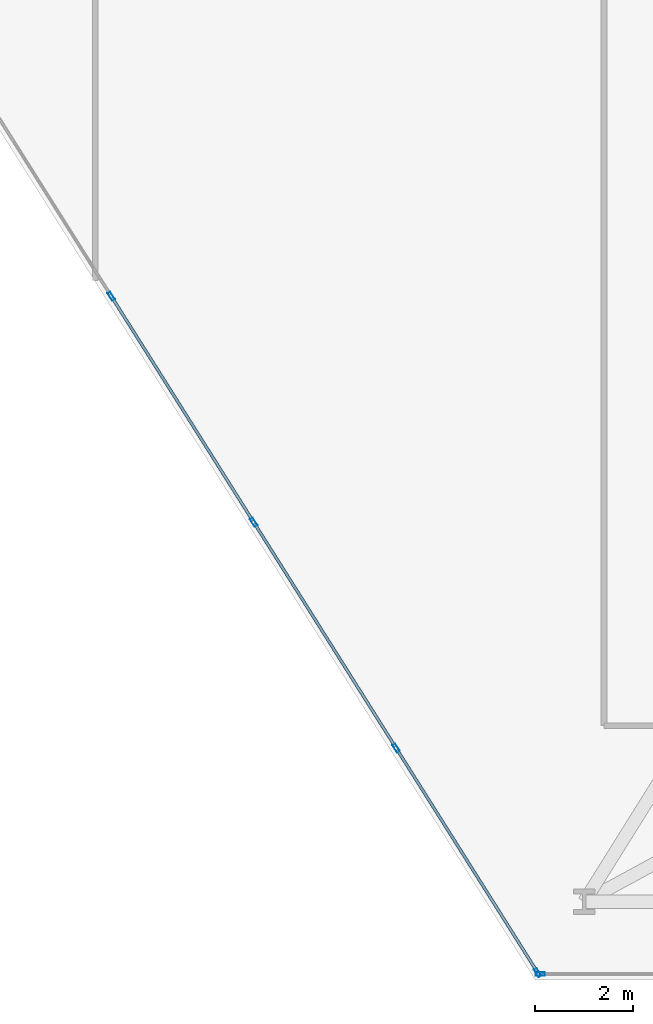
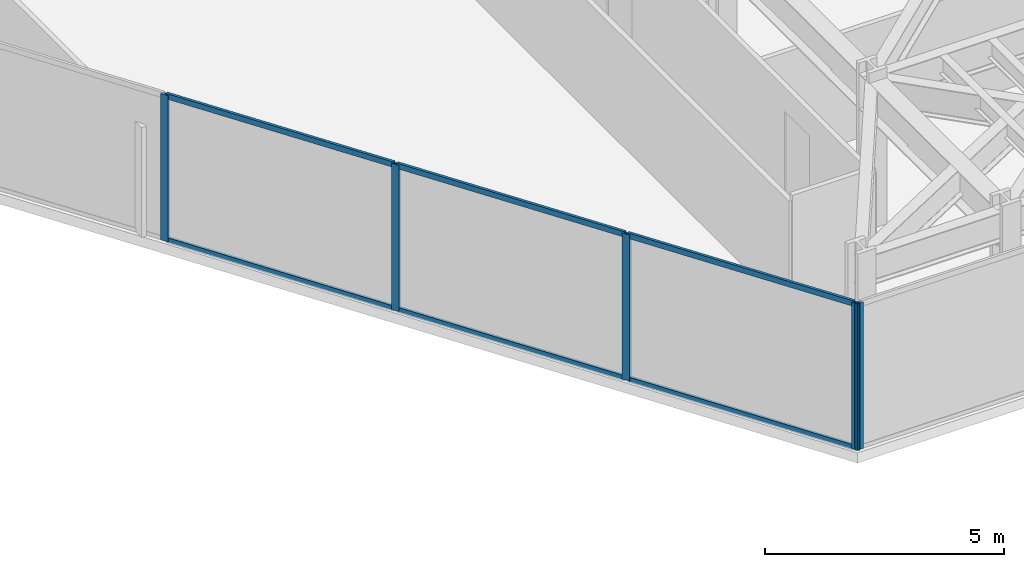
# One storey, part 12 of 25: 11 members, 2 elements without a shape of their own.
"""IFC4 building model written with IfcOpenShell, lengths in metres."""

from ifc_helpers import new_model, si_unit, direction, frame, origin, origin_2d, place, context, subcontext, project, spatial, hollow_rectangle, extrude, material, layer, layer_set, material_profile, profile_set, type_object, element, aggregate, save


model = new_model("IFC4")

# Units and contexts
model_context = context("Model", 3, precision=1e-05, world=origin(), true_north=direction((0.0, 1.0)))
body_context = subcontext(model_context, "Body", "Model", "MODEL_VIEW")
ifc_project = project(units=[si_unit("LENGTHUNIT", "METRE"), si_unit("AREAUNIT", "SQUARE_METRE"), si_unit("VOLUMEUNIT", "CUBIC_METRE"), si_unit("PLANEANGLEUNIT", "RADIAN"), si_unit("MASSUNIT", "GRAM", prefix="KILO")], contexts=[model_context])

# Site, building, storey
site_placement = place(None, origin())
site = spatial("IfcSite", under=ifc_project, at=site_placement, CompositionType="ELEMENT")
building_placement = place(site_placement, origin())
building = spatial("IfcBuilding", under=site, at=building_placement, Name="Kravanh Interchange Tower", CompositionType="ELEMENT")
storey_placement = place(building_placement, frame((0.0, 0.0, 33.5)))
storey = spatial("IfcBuildingStorey", under=building, at=storey_placement, Name="L07", CompositionType="ELEMENT", Elevation=33.5)

# Curtain wall, member
ifc_material_1 = material(Name="Anodised Bronze Aluminium", Category="aluminium")
ifc_layer = layer(ifc_material_1, 0.179931640625)
ifc_layer_set = layer_set([ifc_layer], Name="Unitised Curtain Wall System CW-Z1 Lower Office")
curtain_wall_type = type_object("IfcCurtainWallType", Name="Unitised Curtain Wall System CW-Z1 Lower Office", PredefinedType="NOTDEFINED", material=ifc_layer_set)
curtain_wall_1_placement = place(storey_placement, origin())
curtain_wall_1 = element("IfcCurtainWall", 1, at=curtain_wall_1_placement, inside=storey, type_object=curtain_wall_type, Name="L07 Unitised Curtain Wall CW-L07-03", PredefinedType="NOTDEFINED")
ifc_material_2 = material(Name="Anodised Bronze Aluminium", Category="aluminium")
ifc_material_profile_1 = material_profile(ifc_material_2, hollow_rectangle(XDim=0.070068359375, YDim=0.179931640625, WallThickness=0.00390625, at=origin_2d()), Name="ALU70X180X4")
ifc_profile_set_1 = profile_set([ifc_material_profile_1], Name="Anodised Bronze Aluminium")
member_type_1 = type_object("IfcMemberType", Name="Curtain Wall Mullion ALU70X180X4 Bronze", PredefinedType="MULLION", material=ifc_profile_set_1)
member_1_placement = place(storey_placement, frame((51.601318359375, 1.1201171875, 0.0), z_axis=(0.0, 0.0, 1.0), x_axis=(0.0, -1.0, 0.0)))
member_1 = element("IfcMember", 2, at=member_1_placement, type_object=member_type_1, Name="CW-Z1 mullion 3", PredefinedType="MULLION", context=body_context, shape_type="SweptSolid", body=[
    extrude(hollow_rectangle(XDim=0.070068359375, YDim=0.179931640625, WallThickness=0.00390625, at=origin_2d()), origin(), (0.0, 0.0, 1.0), 3.739990234375),
])
aggregate(curtain_wall_1, [member_1])

# Curtain wall, members
curtain_wall_2_placement = place(storey_placement, origin())
curtain_wall_2 = element("IfcCurtainWall", 3, at=curtain_wall_2_placement, inside=storey, type_object=curtain_wall_type, Name="L07 Unitised Curtain Wall CW-L07-04", PredefinedType="NOTDEFINED")
member_2_placement = place(storey_placement, frame((51.547607421875, 1.149658203125, 0.0), z_axis=(0.0, 0.0, 1.0), x_axis=(-0.845925530786, -0.53330103728, 0.0)))
member_2 = element("IfcMember", 4, at=member_2_placement, type_object=member_type_1, Name="CW-Z1 mullion 1", PredefinedType="MULLION", context=body_context, shape_type="SweptSolid", body=[
    extrude(hollow_rectangle(XDim=0.070068359375, YDim=0.179931640625, WallThickness=0.00390625, at=origin_2d()), origin(), (0.0, 0.0, 1.0), 3.739990234375),
])
member_3_placement = place(storey_placement, frame((48.653076171875, 5.740966796875, 0.0), z_axis=(0.0, 0.0, 1.0), x_axis=(-0.845925530786, -0.53330103728, 0.0)))
member_3 = element("IfcMember", 5, at=member_3_placement, type_object=member_type_1, Name="CW-Z1 mullion 2", PredefinedType="MULLION", context=body_context, shape_type="SweptSolid", body=[
    extrude(hollow_rectangle(XDim=0.070068359375, YDim=0.179931640625, WallThickness=0.00390625, at=origin_2d()), origin(), (0.0, 0.0, 1.0), 3.739990234375),
])
member_4_placement = place(storey_placement, frame((45.73974609375, 10.362060546875, 0.0), z_axis=(0.0, 0.0, 1.0), x_axis=(-0.845925530786, -0.53330103728, 0.0)))
member_4 = element("IfcMember", 6, at=member_4_placement, type_object=member_type_1, Name="CW-Z1 mullion 3", PredefinedType="MULLION", context=body_context, shape_type="SweptSolid", body=[
    extrude(hollow_rectangle(XDim=0.070068359375, YDim=0.179931640625, WallThickness=0.00390625, at=origin_2d()), origin(), (0.0, 0.0, 1.0), 3.739990234375),
])
member_5_placement = place(storey_placement, frame((42.826416015625, 14.98291015625, 0.0), z_axis=(0.0, 0.0, 1.0), x_axis=(-0.845925530786, -0.53330103728, 0.0)))
member_5 = element("IfcMember", 7, at=member_5_placement, type_object=member_type_1, Name="CW-Z1 mullion 4", PredefinedType="MULLION", context=body_context, shape_type="SweptSolid", body=[
    extrude(hollow_rectangle(XDim=0.070068359375, YDim=0.179931640625, WallThickness=0.00390625, at=origin_2d()), origin(), (0.0, 0.0, 1.0), 3.739990234375),
])
ifc_material_3 = material(Name="Anodised Bronze Aluminium", Category="aluminium")
ifc_material_profile_2 = material_profile(ifc_material_3, hollow_rectangle(XDim=0.06005859375, YDim=0.139892578125, WallThickness=0.00390625, at=origin_2d()), Name="ALU60X140X4")
ifc_profile_set_2 = profile_set([ifc_material_profile_2], Name="Anodised Bronze Aluminium")
member_type_2 = type_object("IfcMemberType", Name="Curtain Wall Transom ALU60X140X4 Bronze", PredefinedType="USERDEFINED", material=ifc_profile_set_2)
member_6_placement = place(storey_placement, frame((51.52880859375, 1.17919921875, 0.030029296875), z_axis=(-0.533288163518, 0.845933646719, 0.0), x_axis=(-0.845933646719, -0.533288163518, 0.0)))
member_6 = element("IfcMember", 8, at=member_6_placement, type_object=member_type_2, Name="CW-Z1 transom 1.1", ObjectType="TRANSOM", PredefinedType="USERDEFINED", context=body_context, shape_type="SweptSolid", body=[
    extrude(hollow_rectangle(XDim=0.06005859375, YDim=0.139892578125, WallThickness=0.00390625, at=origin_2d()), origin(), (0.0, 0.0, 1.0), 5.357666015625),
])
member_7_placement = place(storey_placement, frame((51.52880859375, 1.17919921875, 3.7099609375), z_axis=(-0.533288163518, 0.845933646719, 0.0), x_axis=(-0.845933646719, -0.533288163518, 0.0)))
member_7 = element("IfcMember", 9, at=member_7_placement, type_object=member_type_2, Name="CW-Z1 transom 1.2", ObjectType="TRANSOM", PredefinedType="USERDEFINED", context=body_context, shape_type="SweptSolid", body=[
    extrude(hollow_rectangle(XDim=0.06005859375, YDim=0.139892578125, WallThickness=0.00390625, at=origin_2d()), origin(), (0.0, 0.0, 1.0), 5.357666015625),
])
member_8_placement = place(storey_placement, frame((48.63427734375, 5.7705078125, 0.030029296875), z_axis=(-0.533311487456, 0.84591894254, 0.0), x_axis=(-0.84591894254, -0.533311487456, 0.0)))
member_8 = element("IfcMember", 10, at=member_8_placement, type_object=member_type_2, Name="CW-Z1 transom 2.1", ObjectType="TRANSOM", PredefinedType="USERDEFINED", context=body_context, shape_type="SweptSolid", body=[
    extrude(hollow_rectangle(XDim=0.06005859375, YDim=0.139892578125, WallThickness=0.00390625, at=origin_2d()), origin(), (0.0, 0.0, 1.0), 5.392578125),
])
member_9_placement = place(storey_placement, frame((48.63427734375, 5.7705078125, 3.7099609375), z_axis=(-0.533311487456, 0.84591894254, 0.0), x_axis=(-0.84591894254, -0.533311487456, 0.0)))
member_9 = element("IfcMember", 11, at=member_9_placement, type_object=member_type_2, Name="CW-Z1 transom 2.2", ObjectType="TRANSOM", PredefinedType="USERDEFINED", context=body_context, shape_type="SweptSolid", body=[
    extrude(hollow_rectangle(XDim=0.06005859375, YDim=0.139892578125, WallThickness=0.00390625, at=origin_2d()), origin(), (0.0, 0.0, 1.0), 5.392578125),
])
member_10_placement = place(storey_placement, frame((45.720947265625, 10.3916015625, 0.030029296875), z_axis=(-0.533279090152, 0.845939366626, 0.0), x_axis=(-0.845939366626, -0.533279090152, 0.0)))
member_10 = element("IfcMember", 12, at=member_10_placement, type_object=member_type_2, Name="CW-Z1 transom 3.1", ObjectType="TRANSOM", PredefinedType="USERDEFINED", context=body_context, shape_type="SweptSolid", body=[
    extrude(hollow_rectangle(XDim=0.06005859375, YDim=0.139892578125, WallThickness=0.00390625, at=origin_2d()), origin(), (0.0, 0.0, 1.0), 5.392578125),
])
member_11_placement = place(storey_placement, frame((45.720947265625, 10.3916015625, 3.7099609375), z_axis=(-0.533279090152, 0.845939366626, 0.0), x_axis=(-0.845939366626, -0.533279090152, 0.0)))
member_11 = element("IfcMember", 13, at=member_11_placement, type_object=member_type_2, Name="CW-Z1 transom 3.2", ObjectType="TRANSOM", PredefinedType="USERDEFINED", context=body_context, shape_type="SweptSolid", body=[
    extrude(hollow_rectangle(XDim=0.06005859375, YDim=0.139892578125, WallThickness=0.00390625, at=origin_2d()), origin(), (0.0, 0.0, 1.0), 5.392578125),
])
aggregate(curtain_wall_2, [member_2, member_3, member_4, member_5, member_6, member_7, member_8, member_9, member_10, member_11])

save(model, "model.ifc")
